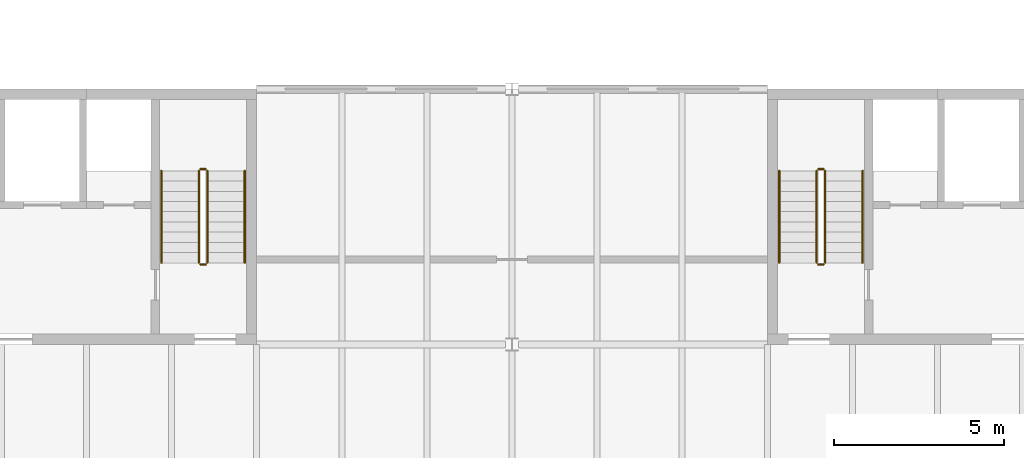
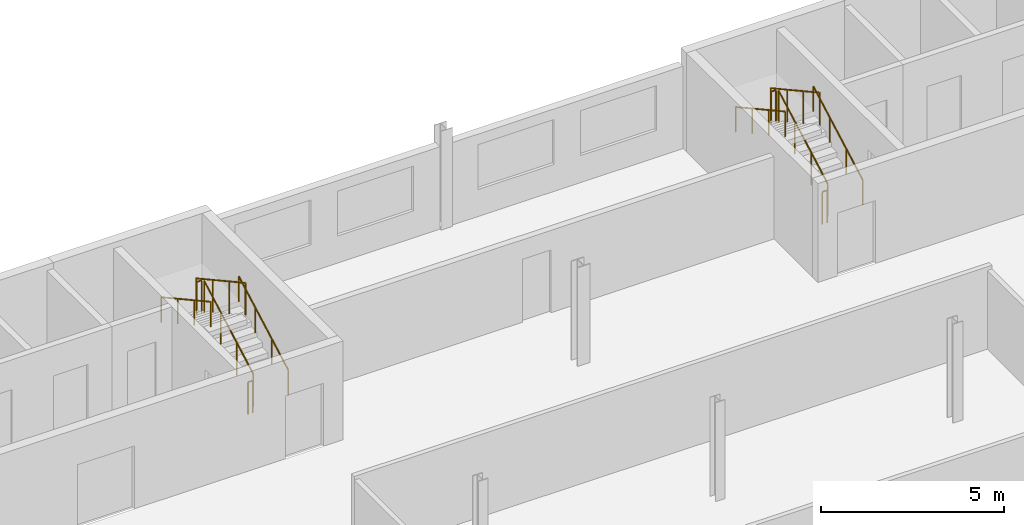
# One storey, part 196 of 214: 12 railings.
"""IFC4 building model written with IfcOpenShell, lengths in metres."""

from ifc_helpers import new_model, si_unit, direction, frame, origin, origin_2d, place, context, subcontext, project, spatial, circle, extrude, material, type_object, element, save


model = new_model("IFC4")

# Units and contexts
model_context = context("Model", 3, precision=1e-05, world=origin(), true_north=direction((0.0, 1.0)))
body_context = subcontext(model_context, "Body", "Model", "MODEL_VIEW")
ifc_project = project(units=[si_unit("LENGTHUNIT", "METRE"), si_unit("AREAUNIT", "SQUARE_METRE"), si_unit("VOLUMEUNIT", "CUBIC_METRE"), si_unit("PLANEANGLEUNIT", "RADIAN"), si_unit("MASSUNIT", "GRAM", prefix="KILO")], contexts=[model_context])

# Site, building, storey
site_placement = place(None, origin())
site = spatial("IfcSite", under=ifc_project, at=site_placement, CompositionType="ELEMENT")
building_placement = place(site_placement, origin())
building = spatial("IfcBuilding", under=site, at=building_placement, Name="Parallax Yard Mobility Hub", CompositionType="ELEMENT")
storey_placement = place(building_placement, frame((0.0, 0.0, 3.300048828125)))
storey = spatial("IfcBuildingStorey", under=building, at=storey_placement, Name="L01", CompositionType="ELEMENT", Elevation=3.300048828125)

# Railings
ifc_material = material(Name="Steel ASTM A36", Category="steel")
railing_type_1 = type_object("IfcRailingType", Name="Stair guard 1100", PredefinedType="GUARDRAIL", material=ifc_material)
railing_1_placement = place(storey_placement, frame((111.050048828125, 47.39990234375, 0.1650390625)))
element("IfcRailing", 1, at=railing_1_placement, inside=storey, type_object=railing_type_1, Name="L01 ST12 stair guard 1", PredefinedType="GUARDRAIL", context=body_context, shape_type="SweptSolid", body=[
    extrude(circle(Radius=0.02392578125, at=origin_2d()), frame((0.0, 0.0, 1.076171875), z_axis=(0.0, 0.876249361297, 0.481857921827), x_axis=(-1.0, 0.0, 0.0)), (0.0, 0.0, 1.0), 3.08154296875),
    extrude(circle(Radius=0.02099609375, at=origin_2d()), origin(), (0.0, 0.0, 1.0), 1.052001953125),
    extrude(circle(Radius=0.02099609375, at=origin_2d()), frame((0.0, 0.900146484375, 0.494873046875)), (0.0, 0.0, 1.0), 1.052001953125),
    extrude(circle(Radius=0.02099609375, at=origin_2d()), frame((0.0, 1.800048828125, 0.989990234375)), (0.0, 0.0, 1.0), 1.052001953125),
    extrude(circle(Radius=0.02099609375, at=origin_2d()), frame((0.0, 2.7001953125, 1.48486328125)), (0.0, 0.0, 1.0), 1.052001953125),
])
railing_2_placement = place(storey_placement, frame((111.0, 50.14990234375, 1.64990234375)))
element("IfcRailing", 2, at=railing_2_placement, inside=storey, type_object=railing_type_1, Name="L01 ST12 stair guard 2", PredefinedType="GUARDRAIL", context=body_context, shape_type="SweptSolid", body=[
    extrude(circle(Radius=0.02392578125, at=origin_2d()), frame((0.0, 0.0, 1.076171875), z_axis=(-1.0, 0.0, 0.0), x_axis=(0.0, -1.0, 0.0)), (0.0, 0.0, 1.0), 0.14990234375),
    extrude(circle(Radius=0.02099609375, at=origin_2d()), origin(), (0.0, 0.0, 1.0), 1.052001953125),
    extrude(circle(Radius=0.02099609375, at=origin_2d()), frame((-0.14990234375, 0.0, 0.0)), (0.0, 0.0, 1.0), 1.052001953125),
])
railing_3_placement = place(storey_placement, frame((110.800048828125, 50.10009765625, 1.81494140625)))
element("IfcRailing", 3, at=railing_3_placement, inside=storey, type_object=railing_type_1, Name="L01 ST12 stair guard 3", PredefinedType="GUARDRAIL", context=body_context, shape_type="SweptSolid", body=[
    extrude(circle(Radius=0.02392578125, at=origin_2d()), frame((0.0, 0.0, 1.076171875), z_axis=(0.0, -0.876215908677, 0.481918749772), x_axis=(1.0, 0.0, 0.0)), (0.0, 0.0, 1.0), 3.08154296875),
    extrude(circle(Radius=0.02099609375, at=origin_2d()), origin(), (0.0, 0.0, 1.0), 1.052001953125),
    extrude(circle(Radius=0.02099609375, at=origin_2d()), frame((0.0, -0.900146484375, 0.4951171875)), (0.0, 0.0, 1.0), 1.052001953125),
    extrude(circle(Radius=0.02099609375, at=origin_2d()), frame((0.0, -1.800048828125, 0.989990234375)), (0.0, 0.0, 1.0), 1.052001953125),
    extrude(circle(Radius=0.02099609375, at=origin_2d()), frame((0.0, -2.7001953125, 1.485107421875)), (0.0, 0.0, 1.0), 1.052001953125),
])
railing_4_placement = place(storey_placement, frame((111.0, 47.35009765625, 0.0)))
element("IfcRailing", 4, at=railing_4_placement, inside=storey, type_object=railing_type_1, Name="L01 ST12 stair guard 4", PredefinedType="GUARDRAIL", context=body_context, shape_type="SweptSolid", body=[
    extrude(circle(Radius=0.02392578125, at=origin_2d()), frame((0.0, 0.0, 1.076171875), z_axis=(-1.0, 0.0, 0.0), x_axis=(0.0, -1.0, 0.0)), (0.0, 0.0, 1.0), 0.14990234375),
    extrude(circle(Radius=0.02099609375, at=origin_2d()), origin(), (0.0, 0.0, 1.0), 1.052001953125),
    extrude(circle(Radius=0.02099609375, at=origin_2d()), frame((-0.14990234375, 0.0, 0.0)), (0.0, 0.0, 1.0), 1.052001953125),
])
railing_5_placement = place(storey_placement, frame((129.199951171875, 47.39990234375, 0.1650390625)))
element("IfcRailing", 5, at=railing_5_placement, inside=storey, type_object=railing_type_1, Name="L01 ST13 stair guard 1", PredefinedType="GUARDRAIL", context=body_context, shape_type="SweptSolid", body=[
    extrude(circle(Radius=0.02392578125, at=origin_2d()), frame((0.0, 0.0, 1.076171875), z_axis=(0.0, 0.876249361297, 0.481857921827), x_axis=(-1.0, 0.0, 0.0)), (0.0, 0.0, 1.0), 3.08154296875),
    extrude(circle(Radius=0.02099609375, at=origin_2d()), origin(), (0.0, 0.0, 1.0), 1.052001953125),
    extrude(circle(Radius=0.02099609375, at=origin_2d()), frame((0.0, 0.900146484375, 0.494873046875)), (0.0, 0.0, 1.0), 1.052001953125),
    extrude(circle(Radius=0.02099609375, at=origin_2d()), frame((0.0, 1.800048828125, 0.989990234375)), (0.0, 0.0, 1.0), 1.052001953125),
    extrude(circle(Radius=0.02099609375, at=origin_2d()), frame((0.0, 2.7001953125, 1.48486328125)), (0.0, 0.0, 1.0), 1.052001953125),
])
railing_6_placement = place(storey_placement, frame((129.14990234375, 50.14990234375, 1.64990234375)))
element("IfcRailing", 6, at=railing_6_placement, inside=storey, type_object=railing_type_1, Name="L01 ST13 stair guard 2", PredefinedType="GUARDRAIL", context=body_context, shape_type="SweptSolid", body=[
    extrude(circle(Radius=0.02392578125, at=origin_2d()), frame((0.0, 0.0, 1.076171875), z_axis=(-1.0, 0.0, 0.0), x_axis=(0.0, -1.0, 0.0)), (0.0, 0.0, 1.0), 0.14990234375),
    extrude(circle(Radius=0.02099609375, at=origin_2d()), origin(), (0.0, 0.0, 1.0), 1.052001953125),
    extrude(circle(Radius=0.02099609375, at=origin_2d()), frame((-0.14990234375, 0.0, 0.0)), (0.0, 0.0, 1.0), 1.052001953125),
])
railing_7_placement = place(storey_placement, frame((128.949951171875, 50.10009765625, 1.81494140625)))
element("IfcRailing", 7, at=railing_7_placement, inside=storey, type_object=railing_type_1, Name="L01 ST13 stair guard 3", PredefinedType="GUARDRAIL", context=body_context, shape_type="SweptSolid", body=[
    extrude(circle(Radius=0.02392578125, at=origin_2d()), frame((0.0, 0.0, 1.076171875), z_axis=(0.0, -0.876215908677, 0.481918749772), x_axis=(1.0, 0.0, 0.0)), (0.0, 0.0, 1.0), 3.08154296875),
    extrude(circle(Radius=0.02099609375, at=origin_2d()), origin(), (0.0, 0.0, 1.0), 1.052001953125),
    extrude(circle(Radius=0.02099609375, at=origin_2d()), frame((0.0, -0.900146484375, 0.4951171875)), (0.0, 0.0, 1.0), 1.052001953125),
    extrude(circle(Radius=0.02099609375, at=origin_2d()), frame((0.0, -1.800048828125, 0.989990234375)), (0.0, 0.0, 1.0), 1.052001953125),
    extrude(circle(Radius=0.02099609375, at=origin_2d()), frame((0.0, -2.7001953125, 1.485107421875)), (0.0, 0.0, 1.0), 1.052001953125),
])
railing_8_placement = place(storey_placement, frame((129.14990234375, 47.35009765625, 0.0)))
element("IfcRailing", 8, at=railing_8_placement, inside=storey, type_object=railing_type_1, Name="L01 ST13 stair guard 4", PredefinedType="GUARDRAIL", context=body_context, shape_type="SweptSolid", body=[
    extrude(circle(Radius=0.02392578125, at=origin_2d()), frame((0.0, 0.0, 1.076171875), z_axis=(-1.0, 0.0, 0.0), x_axis=(0.0, -1.0, 0.0)), (0.0, 0.0, 1.0), 0.14990234375),
    extrude(circle(Radius=0.02099609375, at=origin_2d()), origin(), (0.0, 0.0, 1.0), 1.052001953125),
    extrude(circle(Radius=0.02099609375, at=origin_2d()), frame((-0.14990234375, 0.0, 0.0)), (0.0, 0.0, 1.0), 1.052001953125),
])
railing_type_2 = type_object("IfcRailingType", Name="Stair handrail", PredefinedType="HANDRAIL", material=ifc_material)
railing_9_placement = place(storey_placement, frame((112.14990234375, 47.39990234375, 0.1650390625)))
element("IfcRailing", 9, at=railing_9_placement, inside=storey, type_object=railing_type_2, Name="L01 ST12 stair handrail 1", PredefinedType="HANDRAIL", context=body_context, shape_type="SweptSolid", body=[
    extrude(circle(Radius=0.02392578125, at=origin_2d()), frame((0.0, 0.0, 0.8310546875), z_axis=(0.0, 0.876249361297, 0.481857921827), x_axis=(-1.0, 0.0, 0.0)), (0.0, 0.0, 1.0), 3.08154296875),
    extrude(circle(Radius=0.02099609375, at=origin_2d()), origin(), (0.0, 0.0, 1.0), 0.806884765625),
    extrude(circle(Radius=0.02099609375, at=origin_2d()), frame((0.0, 0.900146484375, 0.494873046875)), (0.0, 0.0, 1.0), 0.806884765625),
    extrude(circle(Radius=0.02099609375, at=origin_2d()), frame((0.0, 1.800048828125, 0.989990234375)), (0.0, 0.0, 1.0), 0.806884765625),
    extrude(circle(Radius=0.02099609375, at=origin_2d()), frame((0.0, 2.7001953125, 1.48486328125)), (0.0, 0.0, 1.0), 0.806884765625),
])
railing_10_placement = place(storey_placement, frame((109.699951171875, 50.10009765625, 1.81494140625)))
element("IfcRailing", 10, at=railing_10_placement, inside=storey, type_object=railing_type_2, Name="L01 ST12 stair handrail 2", PredefinedType="HANDRAIL", context=body_context, shape_type="SweptSolid", body=[
    extrude(circle(Radius=0.02392578125, at=origin_2d()), frame((0.0, 0.0, 0.8310546875), z_axis=(0.0, -0.876215908677, 0.481918749772), x_axis=(1.0, 0.0, 0.0)), (0.0, 0.0, 1.0), 3.08154296875),
    extrude(circle(Radius=0.02099609375, at=origin_2d()), origin(), (0.0, 0.0, 1.0), 0.806884765625),
    extrude(circle(Radius=0.02099609375, at=origin_2d()), frame((0.0, -0.900146484375, 0.4951171875)), (0.0, 0.0, 1.0), 0.806884765625),
    extrude(circle(Radius=0.02099609375, at=origin_2d()), frame((0.0, -1.800048828125, 0.989990234375)), (0.0, 0.0, 1.0), 0.806884765625),
    extrude(circle(Radius=0.02099609375, at=origin_2d()), frame((0.0, -2.7001953125, 1.485107421875)), (0.0, 0.0, 1.0), 0.806884765625),
])
railing_11_placement = place(storey_placement, frame((130.300048828125, 47.39990234375, 0.1650390625)))
element("IfcRailing", 11, at=railing_11_placement, inside=storey, type_object=railing_type_2, Name="L01 ST13 stair handrail 1", PredefinedType="HANDRAIL", context=body_context, shape_type="SweptSolid", body=[
    extrude(circle(Radius=0.02392578125, at=origin_2d()), frame((0.0, 0.0, 0.8310546875), z_axis=(0.0, 0.876249361297, 0.481857921827), x_axis=(-1.0, 0.0, 0.0)), (0.0, 0.0, 1.0), 3.08154296875),
    extrude(circle(Radius=0.02099609375, at=origin_2d()), origin(), (0.0, 0.0, 1.0), 0.806884765625),
    extrude(circle(Radius=0.02099609375, at=origin_2d()), frame((0.0, 0.900146484375, 0.494873046875)), (0.0, 0.0, 1.0), 0.806884765625),
    extrude(circle(Radius=0.02099609375, at=origin_2d()), frame((0.0, 1.800048828125, 0.989990234375)), (0.0, 0.0, 1.0), 0.806884765625),
    extrude(circle(Radius=0.02099609375, at=origin_2d()), frame((0.0, 2.7001953125, 1.48486328125)), (0.0, 0.0, 1.0), 0.806884765625),
])
railing_12_placement = place(storey_placement, frame((127.85009765625, 50.10009765625, 1.81494140625)))
element("IfcRailing", 12, at=railing_12_placement, inside=storey, type_object=railing_type_2, Name="L01 ST13 stair handrail 2", PredefinedType="HANDRAIL", context=body_context, shape_type="SweptSolid", body=[
    extrude(circle(Radius=0.02392578125, at=origin_2d()), frame((0.0, 0.0, 0.8310546875), z_axis=(0.0, -0.876215908677, 0.481918749772), x_axis=(1.0, 0.0, 0.0)), (0.0, 0.0, 1.0), 3.08154296875),
    extrude(circle(Radius=0.02099609375, at=origin_2d()), origin(), (0.0, 0.0, 1.0), 0.806884765625),
    extrude(circle(Radius=0.02099609375, at=origin_2d()), frame((0.0, -0.900146484375, 0.4951171875)), (0.0, 0.0, 1.0), 0.806884765625),
    extrude(circle(Radius=0.02099609375, at=origin_2d()), frame((0.0, -1.800048828125, 0.989990234375)), (0.0, 0.0, 1.0), 0.806884765625),
    extrude(circle(Radius=0.02099609375, at=origin_2d()), frame((0.0, -2.7001953125, 1.485107421875)), (0.0, 0.0, 1.0), 0.806884765625),
])

save(model, "model.ifc")
